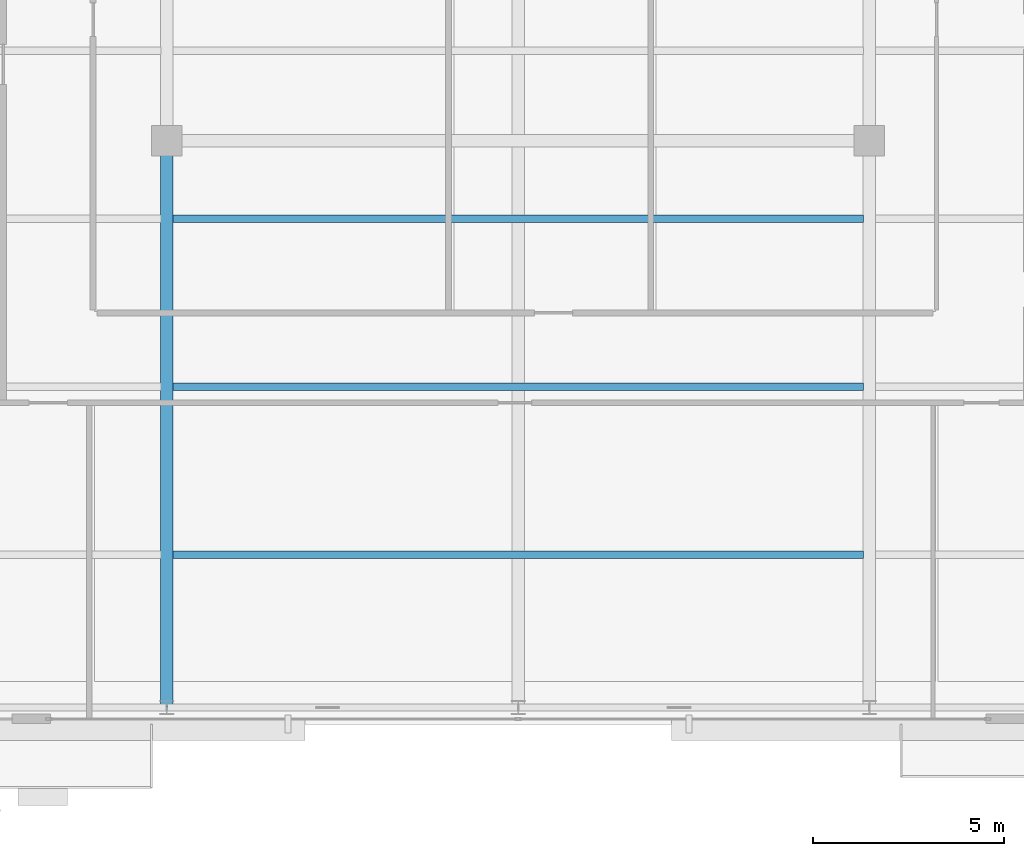
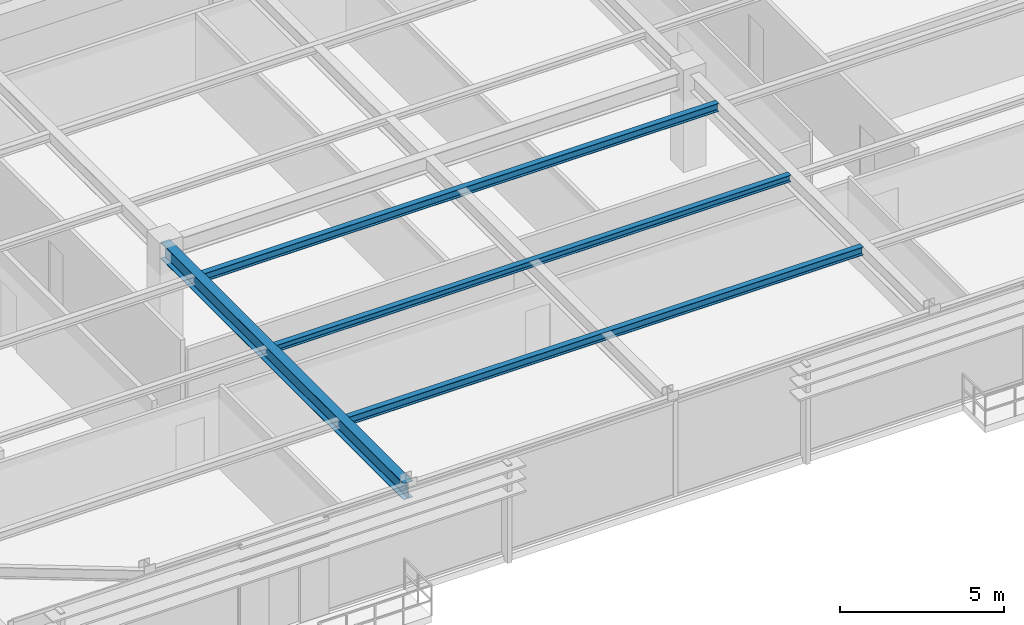
# One storey, part 9 of 31: 4 beams.
"""IFC4 building model written with IfcOpenShell, lengths in metres."""

from ifc_helpers import new_model, si_unit, direction, frame, origin, origin_2d, place, context, subcontext, project, spatial, i_section, extrude, source, transform, mapped, material, material_profile, profile_set, type_object, type_shapes, element, save


model = new_model("IFC4")

# Units and contexts
model_context = context("Model", 3, precision=1e-05, world=origin(), true_north=direction((0.0, 1.0)))
body_context = subcontext(model_context, "Body", "Model", "MODEL_VIEW")
ifc_project = project(units=[si_unit("LENGTHUNIT", "METRE"), si_unit("AREAUNIT", "SQUARE_METRE"), si_unit("VOLUMEUNIT", "CUBIC_METRE"), si_unit("PLANEANGLEUNIT", "RADIAN"), si_unit("MASSUNIT", "GRAM", prefix="KILO")], contexts=[model_context])

# Site, building, storey
site_placement = place(None, origin())
site = spatial("IfcSite", under=ifc_project, at=site_placement, CompositionType="ELEMENT")
building_placement = place(site_placement, origin())
building = spatial("IfcBuilding", under=site, at=building_placement, Name="Varnel Quay Broadcast Tower", CompositionType="ELEMENT")
storey_placement = place(building_placement, frame((0.0, 0.0, 183.800048828125)))
storey = spatial("IfcBuildingStorey", under=building, at=storey_placement, Name="L45", CompositionType="ELEMENT", Elevation=183.800048828125)

# Beams
ifc_material = material(Name="Structural Steel CSA G40.21 350W", Category="steel")
ifc_material_profile_1 = material_profile(ifc_material, i_section(OverallWidth=0.324951171875, OverallDepth=0.615966796875, WebThickness=0.013916015625, FlangeThickness=0.021484375, FilletRadius=0.01611328125, at=origin_2d()), Name="W610X174")
ifc_profile_set_1 = profile_set([ifc_material_profile_1], Name="Structural Steel CSA G40.21 350W")
beam_type_1 = type_object("IfcBeamType", Name="Girder_W610X174", PredefinedType="BEAM", material=ifc_profile_set_1)
shared_shape_1 = source(origin(), body_context, "Body", "SweptSolid", [
    extrude(i_section(OverallWidth=0.324951171875, OverallDepth=0.615966796875, WebThickness=0.013916015625, FlangeThickness=0.021484375, FilletRadius=0.01611328125, at=origin_2d()), origin(), (0.0, 0.0, 1.0), 14.800048828125),
])
type_shapes(beam_type_1, [shared_shape_1])
beam_1_placement = place(storey_placement, frame((24.800048828125, 7.669921875, 3.241943359375), z_axis=(0.0, 1.0, 0.0), x_axis=(-1.0, 0.0, 0.0)))
element("IfcBeam", 1, at=beam_1_placement, inside=storey, type_object=beam_type_1, Name="L45 Primary Girder TC-S2-IC-01", PredefinedType="BEAM", context=body_context, shape_type="MappedRepresentation", body=[
    mapped(shared_shape_1, transform((0.0, 0.0, 0.0), x_axis=(1.0, 0.0, 0.0), y_axis=(0.0, 1.0, 0.0), z_axis=(0.0, 0.0, 1.0), scale=1.0)),
])
ifc_material_profile_2 = material_profile(ifc_material, i_section(OverallWidth=0.202880859375, OverallDepth=0.302978515625, WebThickness=0.007568359375, FlangeThickness=0.01318359375, FilletRadius=0.011962890625, at=origin_2d()), Name="W310X60")
ifc_profile_set_2 = profile_set([ifc_material_profile_2], Name="Structural Steel CSA G40.21 350W")
beam_type_2 = type_object("IfcBeamType", Name="Beam_W310X60", PredefinedType="JOIST", material=ifc_profile_set_2)
shared_shape_2 = source(origin(), body_context, "Body", "SweptSolid", [
    extrude(i_section(OverallWidth=0.202880859375, OverallDepth=0.302978515625, WebThickness=0.007568359375, FlangeThickness=0.01318359375, FilletRadius=0.011962890625, at=origin_2d()), origin(), (0.0, 0.0, 1.0), 18.0849609375),
])
type_shapes(beam_type_2, [shared_shape_2])
for number, where, z_axis, x_axis, name in (
    (2, (24.95751953125, 11.64990234375, 3.3984375), (1.0, 0.0, 0.0), (0.0, 1.0, 0.0), "L45 Central Floor Joist 1"),
    (3, (24.95751953125, 20.449951171875, 3.3984375), (1.0, 0.0, 0.0), (0.0, 1.0, 0.0), "L45 Central Floor Joist 3"),
):
    element("IfcBeam", number, at=place(storey_placement, frame(where, z_axis=z_axis, x_axis=x_axis)), inside=storey, type_object=beam_type_2, Name=name, PredefinedType="JOIST", context=body_context, shape_type="MappedRepresentation", body=[
        mapped(shared_shape_2, transform((0.0, 0.0, 0.0), x_axis=(1.0, 0.0, 0.0), y_axis=(0.0, 1.0, 0.0), z_axis=(0.0, 0.0, 1.0), scale=1.0)),
    ])
ifc_material_profile_3 = material_profile(ifc_material, i_section(OverallWidth=0.201904296875, OverallDepth=0.2470703125, WebThickness=0.00732421875, FlangeThickness=0.010986328125, FilletRadius=0.010986328125, at=origin_2d()), Name="W250X49")
ifc_profile_set_3 = profile_set([ifc_material_profile_3], Name="Structural Steel CSA G40.21 350W")
beam_type_3 = type_object("IfcBeamType", Name="Beam_W250X49", PredefinedType="JOIST", material=ifc_profile_set_3)
shared_shape_3 = source(origin(), body_context, "Body", "SweptSolid", [
    extrude(i_section(OverallWidth=0.201904296875, OverallDepth=0.2470703125, WebThickness=0.00732421875, FlangeThickness=0.010986328125, FilletRadius=0.010986328125, at=origin_2d()), origin(), (0.0, 0.0, 1.0), 18.0849609375),
])
type_shapes(beam_type_3, [shared_shape_3])
beam_2_placement = place(storey_placement, frame((24.95751953125, 16.050048828125, 3.426513671875), z_axis=(1.0, 0.0, 0.0), x_axis=(0.0, 1.0, 0.0)))
element("IfcBeam", 4, at=beam_2_placement, inside=storey, type_object=beam_type_3, Name="L45 Central Floor Joist 2", PredefinedType="JOIST", context=body_context, shape_type="MappedRepresentation", body=[
    mapped(shared_shape_3, transform((0.0, 0.0, 0.0), x_axis=(1.0, 0.0, 0.0), y_axis=(0.0, 1.0, 0.0), z_axis=(0.0, 0.0, 1.0), scale=1.0)),
])

save(model, "model.ifc")
